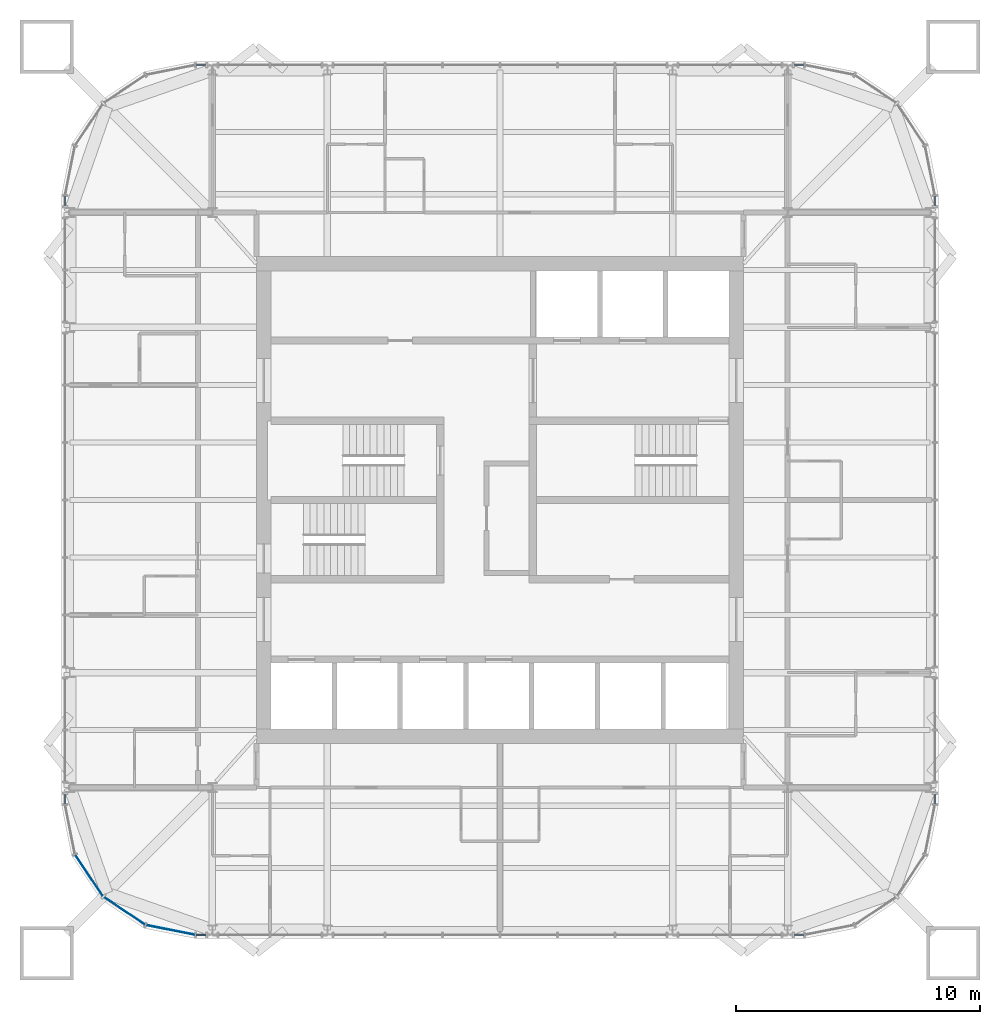
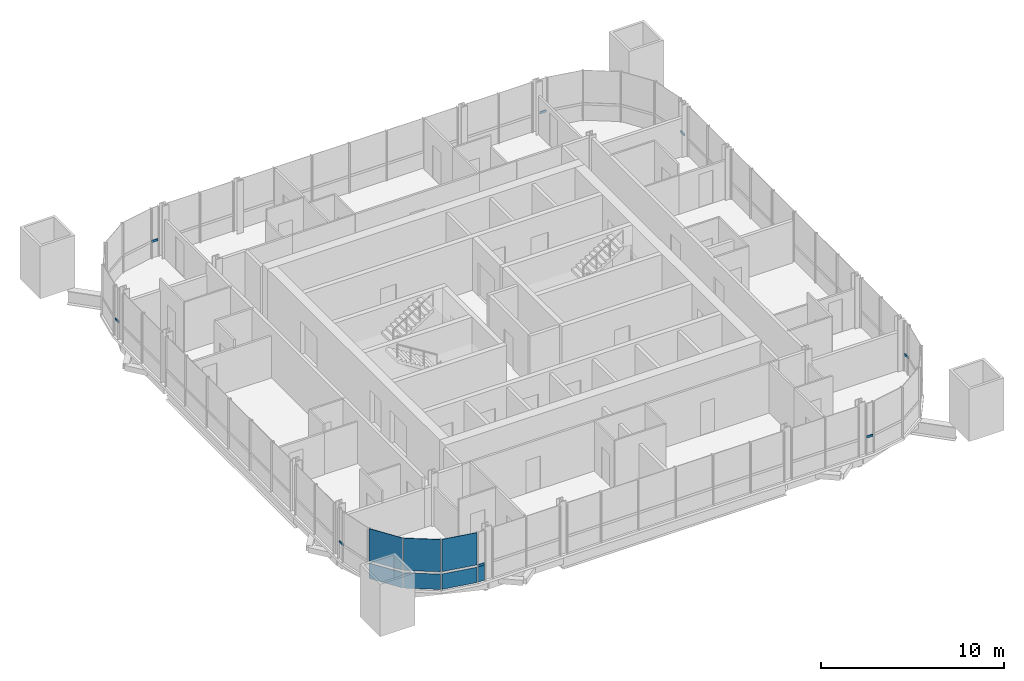
# One storey, part 7 of 17: 8 members, 7 plates, 9 elements without a shape of their own.
"""IFC4 building model written with IfcOpenShell, lengths in metres."""

from ifc_helpers import new_model, si_unit, direction, frame, origin, origin_2d, place, context, subcontext, project, spatial, rectangle, extrude, material, layer, layer_set, material_profile, profile_set, type_object, element, aggregate, save


model = new_model("IFC4")

# Units and contexts
model_context = context("Model", 3, precision=1e-05, world=origin(), true_north=direction((0.0, 1.0)))
body_context = subcontext(model_context, "Body", "Model", "MODEL_VIEW")
ifc_project = project(units=[si_unit("LENGTHUNIT", "METRE"), si_unit("AREAUNIT", "SQUARE_METRE"), si_unit("VOLUMEUNIT", "CUBIC_METRE"), si_unit("PLANEANGLEUNIT", "RADIAN"), si_unit("MASSUNIT", "GRAM", prefix="KILO")], contexts=[model_context])

# Site, building, storey
site_placement = place(None, origin())
site = spatial("IfcSite", under=ifc_project, at=site_placement, CompositionType="ELEMENT")
building_placement = place(site_placement, origin())
building = spatial("IfcBuilding", under=site, at=building_placement, Name="Turquesa Mirador Hotel Tower", CompositionType="ELEMENT")
storey_placement = place(building_placement, frame((0.0, 0.0, 237.199951171875)))
storey = spatial("IfcBuildingStorey", under=building, at=storey_placement, Name="L64", CompositionType="ELEMENT", Elevation=237.199951171875)

# Curtain wall, member
ifc_material_1 = material(Name="Aluminium extrusion", Category="aluminium")
curtain_wall_type = type_object("IfcCurtainWallType", Name="CW-4 SUITE FRITTED CURTAIN WALL", PredefinedType="USERDEFINED", material=ifc_material_1)
curtain_wall_1_placement = place(storey_placement, origin())
curtain_wall_1 = element("IfcCurtainWall", 1, at=curtain_wall_1_placement, inside=storey, type_object=curtain_wall_type, Name="CW-4 SUITE FRITTED CURTAIN WALL L64", ObjectType="CURTAIN WALL", PredefinedType="USERDEFINED")
ifc_material_2 = material(Name="Aluminium extrusion", Category="aluminium")
ifc_material_profile = material_profile(ifc_material_2, rectangle(XDim=0.06494140625, YDim=0.14990234375, at=origin_2d()), Name="TRANSOM 65X150")
ifc_profile_set = profile_set([ifc_material_profile], Name="Aluminium extrusion")
member_type = type_object("IfcMemberType", Name="CW TRANSOM 65X150", PredefinedType="USERDEFINED", material=ifc_profile_set)
member_1_placement = place(storey_placement, frame((72.85009765625, 32.532470703125, 1.10009765625), z_axis=(0.0, 1.0, 0.0), x_axis=(-1.0, 0.0, 0.0)))
member_1 = element("IfcMember", 2, at=member_1_placement, type_object=member_type, Name="Transom", ObjectType="TRANSOM", PredefinedType="USERDEFINED", context=body_context, shape_type="SweptSolid", body=[
    extrude(rectangle(XDim=0.06494140625, YDim=0.14990234375, at=origin_2d()), origin(), (0.0, 0.0, 1.0), 0.401123046875),
])
aggregate(curtain_wall_1, [member_1])

curtain_wall_2_placement = place(storey_placement, origin())
curtain_wall_2 = element("IfcCurtainWall", 3, at=curtain_wall_2_placement, inside=storey, type_object=curtain_wall_type, Name="CW-4 SUITE FRITTED CURTAIN WALL L64", ObjectType="CURTAIN WALL", PredefinedType="USERDEFINED")
member_2_placement = place(storey_placement, frame((72.85009765625, 57.06640625, 1.10009765625), z_axis=(0.0, 1.0, 0.0), x_axis=(-1.0, 0.0, 0.0)))
member_2 = element("IfcMember", 4, at=member_2_placement, type_object=member_type, Name="Transom", ObjectType="TRANSOM", PredefinedType="USERDEFINED", context=body_context, shape_type="SweptSolid", body=[
    extrude(rectangle(XDim=0.06494140625, YDim=0.14990234375, at=origin_2d()), origin(), (0.0, 0.0, 1.0), 0.401123046875),
])
aggregate(curtain_wall_2, [member_2])

curtain_wall_3_placement = place(storey_placement, origin())
curtain_wall_3 = element("IfcCurtainWall", 5, at=curtain_wall_3_placement, inside=storey, type_object=curtain_wall_type, Name="CW-4 SUITE FRITTED CURTAIN WALL L64", ObjectType="CURTAIN WALL", PredefinedType="USERDEFINED")
member_3_placement = place(storey_placement, frame((67.467529296875, 62.85009765625, 1.10009765625), z_axis=(-1.0, 0.0, 0.0), x_axis=(0.0, -1.0, 0.0)))
member_3 = element("IfcMember", 6, at=member_3_placement, type_object=member_type, Name="Transom", ObjectType="TRANSOM", PredefinedType="USERDEFINED", context=body_context, shape_type="SweptSolid", body=[
    extrude(rectangle(XDim=0.06494140625, YDim=0.14990234375, at=origin_2d()), origin(), (0.0, 0.0, 1.0), 0.401123046875),
])
aggregate(curtain_wall_3, [member_3])

curtain_wall_4_placement = place(storey_placement, origin())
curtain_wall_4 = element("IfcCurtainWall", 7, at=curtain_wall_4_placement, inside=storey, type_object=curtain_wall_type, Name="CW-4 SUITE FRITTED CURTAIN WALL L64", ObjectType="CURTAIN WALL", PredefinedType="USERDEFINED")
member_4_placement = place(storey_placement, frame((42.93359375, 62.85009765625, 1.10009765625), z_axis=(-1.0, 0.0, 0.0), x_axis=(0.0, -1.0, 0.0)))
member_4 = element("IfcMember", 8, at=member_4_placement, type_object=member_type, Name="Transom", ObjectType="TRANSOM", PredefinedType="USERDEFINED", context=body_context, shape_type="SweptSolid", body=[
    extrude(rectangle(XDim=0.06494140625, YDim=0.14990234375, at=origin_2d()), origin(), (0.0, 0.0, 1.0), 0.401123046875),
])
aggregate(curtain_wall_4, [member_4])

curtain_wall_5_placement = place(storey_placement, origin())
curtain_wall_5 = element("IfcCurtainWall", 9, at=curtain_wall_5_placement, inside=storey, type_object=curtain_wall_type, Name="CW-4 SUITE FRITTED CURTAIN WALL L64", ObjectType="CURTAIN WALL", PredefinedType="USERDEFINED")
member_5_placement = place(storey_placement, frame((37.14990234375, 57.467529296875, 1.10009765625), z_axis=(0.0, -1.0, 0.0), x_axis=(1.0, 0.0, 0.0)))
member_5 = element("IfcMember", 10, at=member_5_placement, type_object=member_type, Name="Transom", ObjectType="TRANSOM", PredefinedType="USERDEFINED", context=body_context, shape_type="SweptSolid", body=[
    extrude(rectangle(XDim=0.06494140625, YDim=0.14990234375, at=origin_2d()), origin(), (0.0, 0.0, 1.0), 0.401123046875),
])
aggregate(curtain_wall_5, [member_5])

curtain_wall_6_placement = place(storey_placement, origin())
curtain_wall_6 = element("IfcCurtainWall", 11, at=curtain_wall_6_placement, inside=storey, type_object=curtain_wall_type, Name="CW-4 SUITE FRITTED CURTAIN WALL L64", ObjectType="CURTAIN WALL", PredefinedType="USERDEFINED")
member_6_placement = place(storey_placement, frame((37.14990234375, 32.93359375, 1.10009765625), z_axis=(0.0, -1.0, 0.0), x_axis=(1.0, 0.0, 0.0)))
member_6 = element("IfcMember", 12, at=member_6_placement, type_object=member_type, Name="Transom", ObjectType="TRANSOM", PredefinedType="USERDEFINED", context=body_context, shape_type="SweptSolid", body=[
    extrude(rectangle(XDim=0.06494140625, YDim=0.14990234375, at=origin_2d()), origin(), (0.0, 0.0, 1.0), 0.401123046875),
])
aggregate(curtain_wall_6, [member_6])

curtain_wall_7_placement = place(storey_placement, origin())
curtain_wall_7 = element("IfcCurtainWall", 13, at=curtain_wall_7_placement, inside=storey, type_object=curtain_wall_type, Name="CW-4 SUITE FRITTED CURTAIN WALL L64", ObjectType="CURTAIN WALL", PredefinedType="USERDEFINED")
member_7_placement = place(storey_placement, frame((42.532470703125, 27.14990234375, 1.10009765625), z_axis=(1.0, 0.0, 0.0), x_axis=(0.0, 1.0, 0.0)))
member_7 = element("IfcMember", 14, at=member_7_placement, type_object=member_type, Name="Transom", ObjectType="TRANSOM", PredefinedType="USERDEFINED", context=body_context, shape_type="SweptSolid", body=[
    extrude(rectangle(XDim=0.06494140625, YDim=0.14990234375, at=origin_2d()), origin(), (0.0, 0.0, 1.0), 0.401123046875),
])

curtain_wall_8_placement = place(storey_placement, origin())
curtain_wall_8 = element("IfcCurtainWall", 15, at=curtain_wall_8_placement, inside=storey, type_object=curtain_wall_type, Name="CW-4 SUITE FRITTED CURTAIN WALL L64", ObjectType="CURTAIN WALL", PredefinedType="USERDEFINED")
member_8_placement = place(storey_placement, frame((67.06640625, 27.14990234375, 1.10009765625), z_axis=(1.0, 0.0, 0.0), x_axis=(0.0, 1.0, 0.0)))
member_8 = element("IfcMember", 16, at=member_8_placement, type_object=member_type, Name="Transom", ObjectType="TRANSOM", PredefinedType="USERDEFINED", context=body_context, shape_type="SweptSolid", body=[
    extrude(rectangle(XDim=0.06494140625, YDim=0.14990234375, at=origin_2d()), origin(), (0.0, 0.0, 1.0), 0.401123046875),
])
aggregate(curtain_wall_8, [member_8])

# Curtain wall, plates
curtain_wall_9_placement = place(storey_placement, origin())
curtain_wall_9 = element("IfcCurtainWall", 17, at=curtain_wall_9_placement, inside=storey, type_object=curtain_wall_type, Name="CW-4 SUITE FRITTED CURTAIN WALL L64", ObjectType="CURTAIN WALL", PredefinedType="USERDEFINED")
ifc_material_3 = material(Name="Ceramic-printed spandrel glass on an insulated back pan", Category="glass")
ifc_layer_1 = layer(ifc_material_3, 0.050048828125)
ifc_layer_set_1 = layer_set([ifc_layer_1], Name="CW PANEL SPANDREL CERAMIC")
plate_type_1 = type_object("IfcPlateType", Name="CW PANEL SPANDREL CERAMIC", PredefinedType="CURTAIN_PANEL", material=ifc_layer_set_1)
plate_1_placement = place(storey_placement, frame((38.13720703125, 29.584716796875, 0.0), z_axis=(0.0, 0.0, 1.0), x_axis=(0.555570141754, -0.831469673284, 0.0)))
plate_1 = element("IfcPlate", 18, at=plate_1_placement, type_object=plate_type_1, Name="Panel", PredefinedType="CURTAIN_PANEL", context=body_context, shape_type="SweptSolid", body=[
    extrude(rectangle(XDim=2.0224609375, YDim=0.050048828125, at=origin_2d()), origin(), (0.0, 0.0, 1.0), 1.02490234375),
])
plate_2_placement = place(storey_placement, frame((39.584716796875, 28.13720703125, 0.0), z_axis=(0.0, 0.0, 1.0), x_axis=(0.831469673284, -0.555570141754, 0.0)))
plate_2 = element("IfcPlate", 19, at=plate_2_placement, type_object=plate_type_1, Name="Panel", PredefinedType="CURTAIN_PANEL", context=body_context, shape_type="SweptSolid", body=[
    extrude(rectangle(XDim=2.0224609375, YDim=0.050048828125, at=origin_2d()), origin(), (0.0, 0.0, 1.0), 1.02490234375),
])
plate_3_placement = place(storey_placement, frame((41.476318359375, 27.353515625, 0.0), z_axis=(0.0, 0.0, 1.0), x_axis=(0.980785228048, -0.195090585221, 0.0)))
plate_3 = element("IfcPlate", 20, at=plate_3_placement, type_object=plate_type_1, Name="Panel", PredefinedType="CURTAIN_PANEL", context=body_context, shape_type="SweptSolid", body=[
    extrude(rectangle(XDim=2.0224609375, YDim=0.050048828125, at=origin_2d()), origin(), (0.0, 0.0, 1.0), 1.02490234375),
])

# Plate
plate_4_placement = place(storey_placement, frame((42.733154296875, 27.14990234375, 0.0), z_axis=(0.0, 0.0, 1.0), x_axis=(1.0, 0.0, 0.0)))
plate_4 = element("IfcPlate", 21, at=plate_4_placement, type_object=plate_type_1, Name="Panel", PredefinedType="CURTAIN_PANEL", context=body_context, shape_type="SweptSolid", body=[
    extrude(rectangle(XDim=0.401123046875, YDim=0.050048828125, at=origin_2d()), origin(), (0.0, 0.0, 1.0), 1.02490234375),
])

aggregate(curtain_wall_7, [member_7, plate_4])

ifc_material_4 = material(Name="Ceramic-fritted laminated glass", Category="glass")
ifc_layer_2 = layer(ifc_material_4, 0.031982421875)
ifc_layer_set_2 = layer_set([ifc_layer_2], Name="CW PANEL VISION FRITTED")
plate_type_2 = type_object("IfcPlateType", Name="CW PANEL VISION FRITTED", PredefinedType="CURTAIN_PANEL", material=ifc_layer_set_2)
plate_5_placement = place(storey_placement, frame((38.13720703125, 29.584716796875, 1.1748046875), z_axis=(0.0, 0.0, 1.0), x_axis=(0.555570141754, -0.831469673284, 0.0)))
plate_5 = element("IfcPlate", 22, at=plate_5_placement, type_object=plate_type_2, Name="Panel", PredefinedType="CURTAIN_PANEL", context=body_context, shape_type="SweptSolid", body=[
    extrude(rectangle(XDim=2.0224609375, YDim=0.031982421875, at=origin_2d()), origin(), (0.0, 0.0, 1.0), 2.155029296875),
])

plate_6_placement = place(storey_placement, frame((39.584716796875, 28.13720703125, 1.1748046875), z_axis=(0.0, 0.0, 1.0), x_axis=(0.831469673284, -0.555570141754, 0.0)))
plate_6 = element("IfcPlate", 23, at=plate_6_placement, type_object=plate_type_2, Name="Panel", PredefinedType="CURTAIN_PANEL", context=body_context, shape_type="SweptSolid", body=[
    extrude(rectangle(XDim=2.0224609375, YDim=0.031982421875, at=origin_2d()), origin(), (0.0, 0.0, 1.0), 2.155029296875),
])

plate_7_placement = place(storey_placement, frame((41.476318359375, 27.353515625, 1.1748046875), z_axis=(0.0, 0.0, 1.0), x_axis=(0.980785228048, -0.195090585221, 0.0)))
plate_7 = element("IfcPlate", 24, at=plate_7_placement, type_object=plate_type_2, Name="Panel", PredefinedType="CURTAIN_PANEL", context=body_context, shape_type="SweptSolid", body=[
    extrude(rectangle(XDim=2.0224609375, YDim=0.031982421875, at=origin_2d()), origin(), (0.0, 0.0, 1.0), 2.155029296875),
])

aggregate(curtain_wall_9, [plate_1, plate_5, plate_2, plate_6, plate_3, plate_7])

save(model, "model.ifc")
